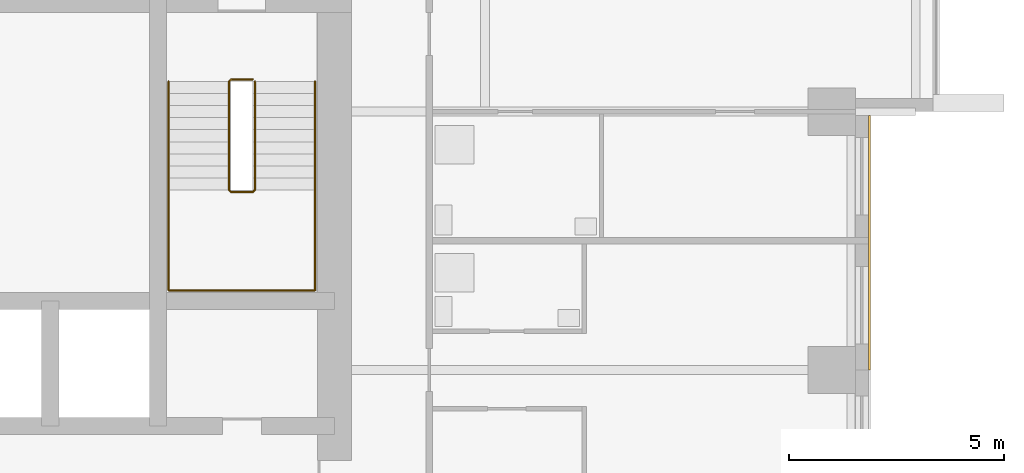
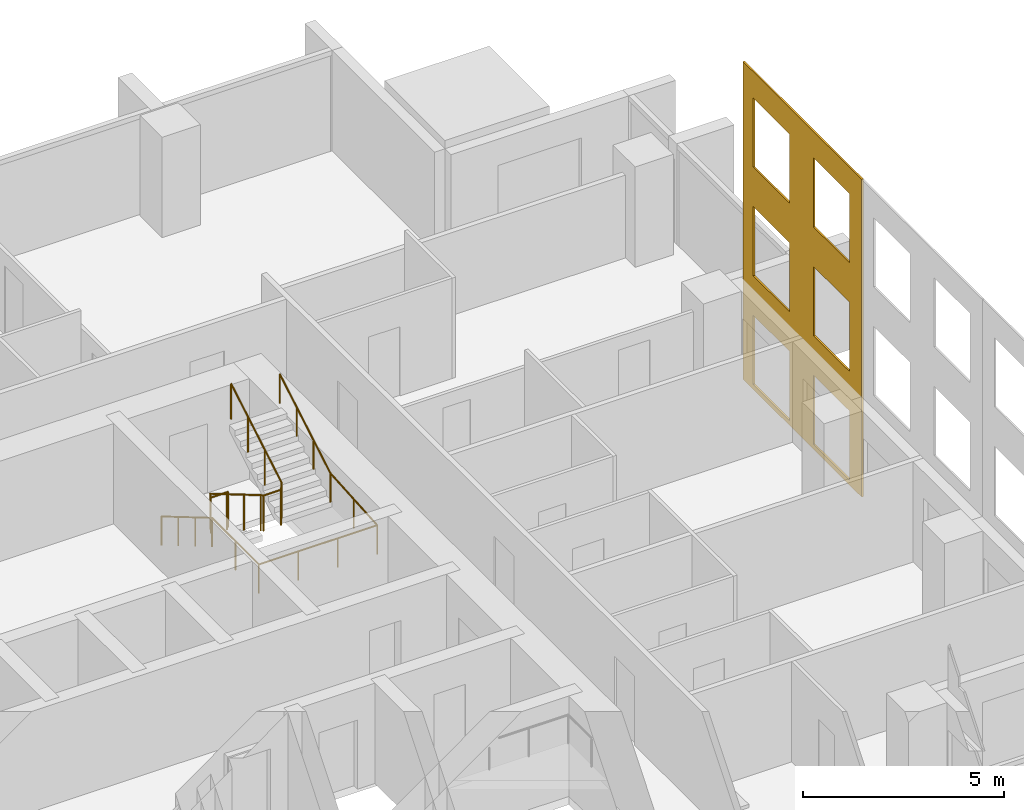
# One storey, part 11 of 12: 2 railings, 1 covering.
"""IFC4 building model written with IfcOpenShell, lengths in metres."""

from ifc_helpers import new_model, si_unit, direction, frame, origin, origin_2d, place, context, subcontext, project, spatial, polyline, circle, outline, extrude, material, layer, layer_set, type_object, element, save


model = new_model("IFC4")

# Units and contexts
model_context = context("Model", 3, precision=1e-05, world=origin(), true_north=direction((0.0, 1.0)))
body_context = subcontext(model_context, "Body", "Model", "MODEL_VIEW")
ifc_project = project(units=[si_unit("LENGTHUNIT", "METRE"), si_unit("AREAUNIT", "SQUARE_METRE"), si_unit("VOLUMEUNIT", "CUBIC_METRE"), si_unit("PLANEANGLEUNIT", "RADIAN"), si_unit("MASSUNIT", "GRAM", prefix="KILO")], contexts=[model_context])

# Site, building, storey
site_placement = place(None, origin())
site = spatial("IfcSite", under=ifc_project, at=site_placement, CompositionType="ELEMENT")
building_placement = place(site_placement, origin())
building = spatial("IfcBuilding", under=site, at=building_placement, Name="Amberfall Residences", CompositionType="ELEMENT")
storey_placement = place(building_placement, frame((0.0, 0.0, 88.60009765625)))
storey = spatial("IfcBuildingStorey", under=building, at=storey_placement, Name="L23", CompositionType="ELEMENT", Elevation=88.60009765625)

# Covering
ifc_material_1 = material(Name="Pale limestone cladding", Category="masonry")
ifc_layer = layer(ifc_material_1, 0.050048828125)
ifc_layer_set = layer_set([ifc_layer], Name="Limestone fascia 50")
covering_type = type_object("IfcCoveringType", Name="Limestone fascia 50", PredefinedType="CLADDING", material=ifc_layer_set)
covering_placement = place(storey_placement, frame((98.5, 48.39990234375, 9.64990234375), z_axis=(-1.0, 0.0, 0.0), x_axis=(0.0, 1.0, 0.0)))
element("IfcCovering", 1, at=covering_placement, inside=storey, type_object=covering_type, Name="Pale limestone cladding L23-L25 E", PredefinedType="CLADDING", context=body_context, shape_type="SweptSolid", body=[
    extrude(outline(polyline([(0.0, 0.0), (5.91015625, 0.0), (5.91015625, 9.64990234375), (0.0, 9.64990234375), (0.0, 0.0)]), holes=[polyline([(0.60009765625, 7.39990234375), (2.400146484375, 7.39990234375), (2.400146484375, 9.5), (0.60009765625, 9.5), (0.60009765625, 7.39990234375)]), polyline([(3.60009765625, 7.39990234375), (5.400146484375, 7.39990234375), (5.400146484375, 9.5), (3.60009765625, 9.5), (3.60009765625, 7.39990234375)]), polyline([(0.60009765625, 4.10009765625), (2.400146484375, 4.10009765625), (2.400146484375, 6.199951171875), (0.60009765625, 6.199951171875), (0.60009765625, 4.10009765625)]), polyline([(3.60009765625, 4.10009765625), (5.400146484375, 4.10009765625), (5.400146484375, 6.199951171875), (3.60009765625, 6.199951171875), (3.60009765625, 4.10009765625)]), polyline([(0.60009765625, 0.800048828125), (2.400146484375, 0.800048828125), (2.400146484375, 2.89990234375), (0.60009765625, 2.89990234375), (0.60009765625, 0.800048828125)]), polyline([(3.60009765625, 0.800048828125), (5.400146484375, 0.800048828125), (5.400146484375, 2.89990234375), (3.60009765625, 2.89990234375), (3.60009765625, 0.800048828125)])]), origin(), (0.0, 0.0, -1.0), 0.050048828125),
])

# Railings
ifc_material_2 = material(Name="Stainless steel 316", Category="steel")
railing_type_1 = type_object("IfcRailingType", Name="Stair guard 1100", PredefinedType="GUARDRAIL", material=ifc_material_2)
railing_1_placement = place(storey_placement, frame((84.199951171875, 55.14990234375, 0.0)))
element("IfcRailing", 2, at=railing_1_placement, inside=storey, type_object=railing_type_1, Name="L23 stair 3 guard", PredefinedType="GUARDRAIL", context=body_context, shape_type="SweptSolid", body=[
    extrude(circle(Radius=0.02392578125, at=origin_2d()), frame((0.0, 0.0, 1.076171875), z_axis=(-1.0, 0.0, 0.0), x_axis=(0.0, -1.0, 0.0)), (0.0, 0.0, 1.0), 0.5),
    extrude(circle(Radius=0.02392578125, at=origin_2d()), frame((-0.5, 0.0, 1.076171875), z_axis=(-0.279159454702, -0.277797701265, 0.919183570361), x_axis=(0.705375805398, -0.708833529934, 0.0)), (0.0, 0.0, 1.0), 0.17919921875),
    extrude(circle(Radius=0.02392578125, at=origin_2d()), frame((-0.550048828125, -0.0498046875, 1.24072265625), z_axis=(0.0, -0.86152411907, 0.507716645641), x_axis=(1.0, 0.0, 0.0)), (0.0, 0.0, 1.0), 2.925048828125),
    extrude(circle(Radius=0.02392578125, at=origin_2d()), frame((-0.550048828125, -2.56982421875, 2.72607421875), z_axis=(0.707106781187, -0.707106781187, 0.0), x_axis=(0.707106781187, 0.707106781187, 0.0)), (0.0, 0.0, 1.0), 0.07080078125),
    extrude(circle(Radius=0.02392578125, at=origin_2d()), frame((-0.5, -2.619873046875, 2.72607421875), z_axis=(1.0, 0.0, 0.0), x_axis=(0.0, 1.0, 0.0)), (0.0, 0.0, 1.0), 0.5),
    extrude(circle(Radius=0.02392578125, at=origin_2d()), frame((0.0, -2.619873046875, 2.72607421875), z_axis=(0.278705021027, 0.278705021027, 0.919046801044), x_axis=(-0.707106781187, 0.707106781187, 0.0)), (0.0, 0.0, 1.0), 0.1796875),
    extrude(circle(Radius=0.02392578125, at=origin_2d()), frame((0.050048828125, -2.56982421875, 2.89111328125), z_axis=(0.0, 0.861560626758, 0.507654692109), x_axis=(-1.0, 0.0, 0.0)), (0.0, 0.0, 1.0), 2.925048828125),
    extrude(circle(Radius=0.02099609375, at=origin_2d()), origin(), (0.0, 0.0, 1.0), 1.052001953125),
    extrude(circle(Radius=0.02099609375, at=origin_2d()), frame((-0.5, 0.0, 0.0)), (0.0, 0.0, 1.0), 1.052001953125),
    extrude(circle(Radius=0.02099609375, at=origin_2d()), frame((-0.550048828125, -0.0498046875, 0.164794921875)), (0.0, 0.0, 1.0), 1.052001953125),
    extrude(circle(Radius=0.02099609375, at=origin_2d()), frame((-0.550048828125, -0.889892578125, 0.659912109375)), (0.0, 0.0, 1.0), 1.052001953125),
    extrude(circle(Radius=0.02099609375, at=origin_2d()), frame((-0.550048828125, -1.729736328125, 1.15478515625)), (0.0, 0.0, 1.0), 1.052001953125),
    extrude(circle(Radius=0.02099609375, at=origin_2d()), frame((-0.550048828125, -2.56982421875, 1.64990234375)), (0.0, 0.0, 1.0), 1.052001953125),
    extrude(circle(Radius=0.02099609375, at=origin_2d()), frame((-0.5, -2.619873046875, 1.64990234375)), (0.0, 0.0, 1.0), 1.052001953125),
    extrude(circle(Radius=0.02099609375, at=origin_2d()), frame((0.0, -2.619873046875, 1.64990234375)), (0.0, 0.0, 1.0), 1.052001953125),
    extrude(circle(Radius=0.02099609375, at=origin_2d()), frame((0.050048828125, -2.56982421875, 1.81494140625)), (0.0, 0.0, 1.0), 1.052001953125),
    extrude(circle(Radius=0.02099609375, at=origin_2d()), frame((0.050048828125, -1.729736328125, 2.309814453125)), (0.0, 0.0, 1.0), 1.052001953125),
    extrude(circle(Radius=0.02099609375, at=origin_2d()), frame((0.050048828125, -0.889892578125, 2.804931640625)), (0.0, 0.0, 1.0), 1.052001953125),
    extrude(circle(Radius=0.02099609375, at=origin_2d()), frame((0.050048828125, -0.0498046875, 3.2998046875)), (0.0, 0.0, 1.0), 1.052001953125),
])
railing_type_2 = type_object("IfcRailingType", Name="Stair handrail 900", PredefinedType="HANDRAIL", material=ifc_material_2)
railing_2_placement = place(storey_placement, frame((82.25, 55.10009765625, 0.164794921875)))
element("IfcRailing", 3, at=railing_2_placement, inside=storey, type_object=railing_type_2, Name="L23 stair 3 handrail", PredefinedType="HANDRAIL", context=body_context, shape_type="SweptSolid", body=[
    extrude(circle(Radius=0.02392578125, at=origin_2d()), frame((0.0, 0.0, 0.8759765625), z_axis=(0.0, -0.86152411907, 0.507716645641), x_axis=(1.0, 0.0, 0.0)), (0.0, 0.0, 1.0), 2.925048828125),
    extrude(circle(Radius=0.02392578125, at=origin_2d()), frame((0.0, -2.52001953125, 2.36083984375), z_axis=(0.0, -1.0, 0.0), x_axis=(1.0, 0.0, 0.0)), (0.0, 0.0, 1.0), 2.330078125),
    extrude(circle(Radius=0.02392578125, at=origin_2d()), frame((0.0, -4.85009765625, 2.36083984375), z_axis=(1.0, 0.0, 0.0), x_axis=(0.0, 1.0, 0.0)), (0.0, 0.0, 1.0), 3.39990234375),
    extrude(circle(Radius=0.02392578125, at=origin_2d()), frame((3.39990234375, -4.85009765625, 2.36083984375), z_axis=(0.0, 0.997500965899, 0.07065283455), x_axis=(-1.0, 0.0, 0.0)), (0.0, 0.0, 1.0), 2.3359375),
    extrude(circle(Radius=0.02392578125, at=origin_2d()), frame((3.39990234375, -2.52001953125, 2.52587890625), z_axis=(0.0, 0.861560626758, 0.507654692109), x_axis=(-1.0, 0.0, 0.0)), (0.0, 0.0, 1.0), 2.925048828125),
    extrude(circle(Radius=0.02099609375, at=origin_2d()), origin(), (0.0, 0.0, 1.0), 0.851806640625),
    extrude(circle(Radius=0.02099609375, at=origin_2d()), frame((0.0, -0.840087890625, 0.4951171875)), (0.0, 0.0, 1.0), 0.851806640625),
    extrude(circle(Radius=0.02099609375, at=origin_2d()), frame((0.0, -1.679931640625, 0.989990234375)), (0.0, 0.0, 1.0), 0.851806640625),
    extrude(circle(Radius=0.02099609375, at=origin_2d()), frame((0.0, -2.52001953125, 1.485107421875)), (0.0, 0.0, 1.0), 0.851806640625),
    extrude(circle(Radius=0.02099609375, at=origin_2d()), frame((0.0, -3.68505859375, 1.485107421875)), (0.0, 0.0, 1.0), 0.851806640625),
    extrude(circle(Radius=0.02099609375, at=origin_2d()), frame((0.0, -4.85009765625, 1.485107421875)), (0.0, 0.0, 1.0), 0.851806640625),
    extrude(circle(Radius=0.02099609375, at=origin_2d()), frame((1.13330078125, -4.85009765625, 1.485107421875)), (0.0, 0.0, 1.0), 0.851806640625),
    extrude(circle(Radius=0.02099609375, at=origin_2d()), frame((2.2666015625, -4.85009765625, 1.485107421875)), (0.0, 0.0, 1.0), 0.851806640625),
    extrude(circle(Radius=0.02099609375, at=origin_2d()), frame((3.39990234375, -4.85009765625, 1.485107421875)), (0.0, 0.0, 1.0), 0.851806640625),
    extrude(circle(Radius=0.02099609375, at=origin_2d()), frame((3.39990234375, -3.68505859375, 1.567626953125)), (0.0, 0.0, 1.0), 0.851806640625),
    extrude(circle(Radius=0.02099609375, at=origin_2d()), frame((3.39990234375, -2.52001953125, 1.650146484375)), (0.0, 0.0, 1.0), 0.851806640625),
    extrude(circle(Radius=0.02099609375, at=origin_2d()), frame((3.39990234375, -1.679931640625, 2.14501953125)), (0.0, 0.0, 1.0), 0.851806640625),
    extrude(circle(Radius=0.02099609375, at=origin_2d()), frame((3.39990234375, -0.840087890625, 2.64013671875)), (0.0, 0.0, 1.0), 0.851806640625),
    extrude(circle(Radius=0.02099609375, at=origin_2d()), frame((3.39990234375, 0.0, 3.135009765625)), (0.0, 0.0, 1.0), 0.851806640625),
])

save(model, "model.ifc")
